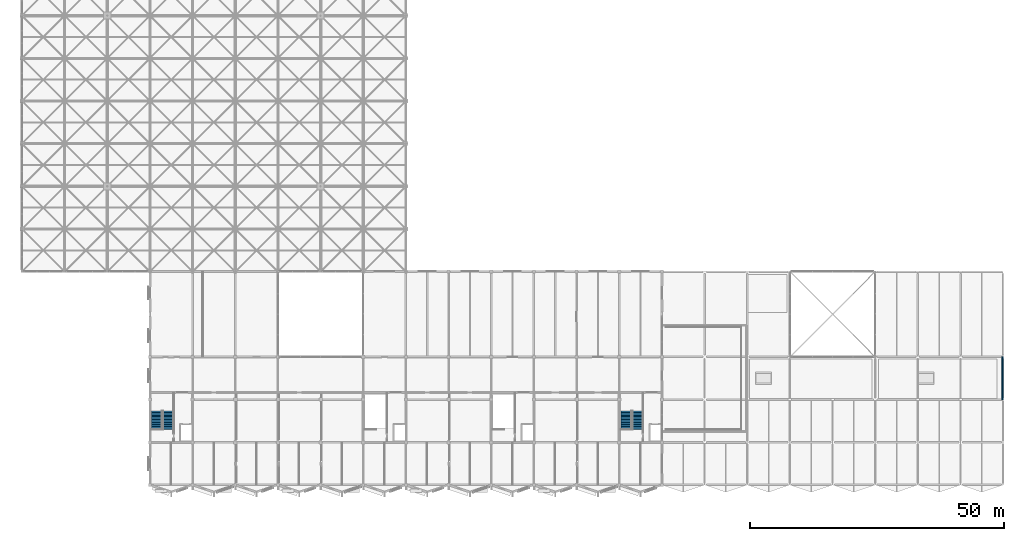
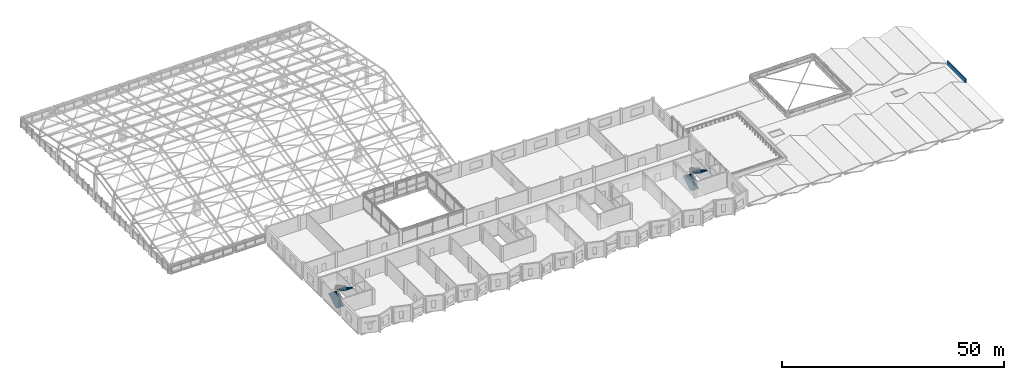
# One storey, part 78 of 81: 4 stair flights, 1 wall, 2 elements without a shape of their own.
"""IFC4 building model written with IfcOpenShell, lengths in metres."""

from ifc_helpers import new_model, si_unit, direction, frame, frame_2d, origin, place, context, subcontext, project, spatial, polyline, rectangle, outline, extrude, material, layer, layer_set, type_object, element, aggregate, save


model = new_model("IFC4")

# Units and contexts
model_context = context("Model", 3, precision=1e-05, world=origin(), true_north=direction((0.0, 1.0)))
body_context = subcontext(model_context, "Body", "Model", "MODEL_VIEW")
ifc_project = project(units=[si_unit("LENGTHUNIT", "METRE"), si_unit("AREAUNIT", "SQUARE_METRE"), si_unit("VOLUMEUNIT", "CUBIC_METRE"), si_unit("PLANEANGLEUNIT", "RADIAN"), si_unit("MASSUNIT", "GRAM", prefix="KILO")], contexts=[model_context])

# Site, building, storey
site_placement = place(None, origin())
site = spatial("IfcSite", under=ifc_project, at=site_placement, CompositionType="ELEMENT")
building_placement = place(site_placement, origin())
building = spatial("IfcBuilding", under=site, at=building_placement, Name="Qawsi Khor Wholesale Market", CompositionType="ELEMENT")
storey_placement = place(building_placement, frame((0.0, 0.0, 16.199951171875)))
storey = spatial("IfcBuildingStorey", under=building, at=storey_placement, Name="L03", CompositionType="ELEMENT", Elevation=16.199951171875)

# Wall
ifc_material = material(Name="Concrete C40/50", Category="concrete")
ifc_layer = layer(ifc_material, 0.27001953125, Name="Concrete C40/50")
ifc_layer_set = layer_set([ifc_layer], Name="Concrete C40/50")
wall_type = type_object("IfcWallType", Name="Terrace Parapet Upstand Wall 270", PredefinedType="PARAPET", material=ifc_layer_set)
wall_placement = place(storey_placement, frame((193.050048828125, 16.800048828125, 0.0), z_axis=(0.0, 0.0, 1.0), x_axis=(0.0, 1.0, 0.0)))
element("IfcWall", 1, at=wall_placement, inside=storey, type_object=wall_type, Name="Roof parapet PRP-L03-EW-E", PredefinedType="PARAPET", context=body_context, shape_type="SweptSolid", body=[
    extrude(rectangle(XDim=8.39990234375, YDim=0.27001953125, at=frame_2d((4.199951171875, 0.0))), origin(), (0.0, 0.0, 1.0), 1.10009765625),
])

# Stair, stair flights
stair_type = type_object("IfcStairType", Name="Exit Stair L03-RF 4500 Rise", PredefinedType="HALF_TURN_STAIR", material=ifc_material)
stair_1_placement = place(storey_placement, origin())
stair_1 = element("IfcStair", 2, at=stair_1_placement, inside=storey, type_object=stair_type, Name="Stair ST-01 L03", PredefinedType="HALF_TURN_STAIR")
stair_flight_type = type_object("IfcStairFlightType", Name="Stair Flight 14R x 160.7 / 280G (2060w)", PredefinedType="STRAIGHT", material=ifc_material)
stair_flight_1_placement = place(storey_placement, frame((26.550048828125, 10.919921875, 0.0), z_axis=(0.0, 0.0, 1.0), x_axis=(0.0, 1.0, 0.0)))
stair_flight_1 = element("IfcStairFlight", 3, at=stair_flight_1_placement, type_object=stair_flight_type, Name="ST-01-L03 flight 1", NumberOfRisers=14, NumberOfTreads=13, PredefinedType="STRAIGHT", RiserHeight=0.16071, TreadLength=0.28, context=body_context, shape_type="SweptSolid", body=[
    extrude(outline(polyline([(0.0, 0.0), (0.0, 0.16064453125), (0.280029296875, 0.16064453125), (0.280029296875, 0.321533203125), (0.56005859375, 0.321533203125), (0.56005859375, 0.482177734375), (0.840087890625, 0.482177734375), (0.840087890625, 0.642822265625), (1.1201171875, 0.642822265625), (1.1201171875, 0.803466796875), (1.39990234375, 0.803466796875), (1.39990234375, 0.96435546875), (1.679931640625, 0.96435546875), (1.679931640625, 1.125), (1.9599609375, 1.125), (1.9599609375, 1.28564453125), (2.239990234375, 1.28564453125), (2.239990234375, 1.4462890625), (2.52001953125, 1.4462890625), (2.52001953125, 1.607177734375), (2.800048828125, 1.607177734375), (2.800048828125, 1.767822265625), (3.080078125, 1.767822265625), (3.080078125, 1.928466796875), (3.360107421875, 1.928466796875), (3.360107421875, 2.089111328125), (3.639892578125, 2.089111328125), (3.639892578125, 2.25), (3.639892578125, 1.8818359375), (0.361572265625, 0.0), (0.0, 0.0)])), frame((0.0, 1.030029296875, 0.0), z_axis=(0.0, -1.0, 0.0), x_axis=(1.0, 0.0, 0.0)), (0.0, 0.0, 1.0), 2.06005859375),
])
stair_flight_2_placement = place(storey_placement, frame((28.7900390625, 14.56005859375, 2.25), z_axis=(0.0, 0.0, 1.0), x_axis=(0.0, -1.0, 0.0)))
stair_flight_2 = element("IfcStairFlight", 4, at=stair_flight_2_placement, type_object=stair_flight_type, Name="ST-01-L03 flight 2", NumberOfRisers=14, NumberOfTreads=13, PredefinedType="STRAIGHT", RiserHeight=0.16071, TreadLength=0.28, context=body_context, shape_type="SweptSolid", body=[
    extrude(outline(polyline([(0.0, 0.0), (0.0, 0.16064453125), (0.280029296875, 0.16064453125), (0.280029296875, 0.321533203125), (0.56005859375, 0.321533203125), (0.56005859375, 0.482177734375), (0.840087890625, 0.482177734375), (0.840087890625, 0.642822265625), (1.1201171875, 0.642822265625), (1.1201171875, 0.803466796875), (1.39990234375, 0.803466796875), (1.39990234375, 0.96435546875), (1.679931640625, 0.96435546875), (1.679931640625, 1.125), (1.9599609375, 1.125), (1.9599609375, 1.28564453125), (2.239990234375, 1.28564453125), (2.239990234375, 1.4462890625), (2.52001953125, 1.4462890625), (2.52001953125, 1.607177734375), (2.800048828125, 1.607177734375), (2.800048828125, 1.767822265625), (3.080078125, 1.767822265625), (3.080078125, 1.928466796875), (3.360107421875, 1.928466796875), (3.360107421875, 2.089111328125), (3.639892578125, 2.089111328125), (3.639892578125, 2.25), (3.639892578125, 1.8818359375), (0.361572265625, 0.0), (0.0, 0.0)])), frame((0.0, 1.030029296875, 0.0), z_axis=(0.0, -1.0, 0.0), x_axis=(1.0, 0.0, 0.0)), (0.0, 0.0, 1.0), 2.06005859375),
])
aggregate(stair_1, [stair_flight_1, stair_flight_2])

stair_2_placement = place(storey_placement, origin())
stair_2 = element("IfcStair", 5, at=stair_2_placement, inside=storey, type_object=stair_type, Name="Stair ST-04 L03", PredefinedType="HALF_TURN_STAIR")
stair_flight_3_placement = place(storey_placement, frame((118.949951171875, 10.919921875, 0.0), z_axis=(0.0, 0.0, 1.0), x_axis=(0.0, 1.0, 0.0)))
stair_flight_3 = element("IfcStairFlight", 6, at=stair_flight_3_placement, type_object=stair_flight_type, Name="ST-04-L03 flight 1", NumberOfRisers=14, NumberOfTreads=13, PredefinedType="STRAIGHT", RiserHeight=0.16071, TreadLength=0.28, context=body_context, shape_type="SweptSolid", body=[
    extrude(outline(polyline([(0.0, 0.0), (0.0, 0.16064453125), (0.280029296875, 0.16064453125), (0.280029296875, 0.321533203125), (0.56005859375, 0.321533203125), (0.56005859375, 0.482177734375), (0.840087890625, 0.482177734375), (0.840087890625, 0.642822265625), (1.1201171875, 0.642822265625), (1.1201171875, 0.803466796875), (1.39990234375, 0.803466796875), (1.39990234375, 0.96435546875), (1.679931640625, 0.96435546875), (1.679931640625, 1.125), (1.9599609375, 1.125), (1.9599609375, 1.28564453125), (2.239990234375, 1.28564453125), (2.239990234375, 1.4462890625), (2.52001953125, 1.4462890625), (2.52001953125, 1.607177734375), (2.800048828125, 1.607177734375), (2.800048828125, 1.767822265625), (3.080078125, 1.767822265625), (3.080078125, 1.928466796875), (3.360107421875, 1.928466796875), (3.360107421875, 2.089111328125), (3.639892578125, 2.089111328125), (3.639892578125, 2.25), (3.639892578125, 1.8818359375), (0.361572265625, 0.0), (0.0, 0.0)])), frame((0.0, 1.030029296875, 0.0), z_axis=(0.0, -1.0, 0.0), x_axis=(1.0, 0.0, 0.0)), (0.0, 0.0, 1.0), 2.06005859375),
])
stair_flight_4_placement = place(storey_placement, frame((121.18994140625, 14.56005859375, 2.25), z_axis=(0.0, 0.0, 1.0), x_axis=(0.0, -1.0, 0.0)))
stair_flight_4 = element("IfcStairFlight", 7, at=stair_flight_4_placement, type_object=stair_flight_type, Name="ST-04-L03 flight 2", NumberOfRisers=14, NumberOfTreads=13, PredefinedType="STRAIGHT", RiserHeight=0.16071, TreadLength=0.28, context=body_context, shape_type="SweptSolid", body=[
    extrude(outline(polyline([(0.0, 0.0), (0.0, 0.16064453125), (0.280029296875, 0.16064453125), (0.280029296875, 0.321533203125), (0.56005859375, 0.321533203125), (0.56005859375, 0.482177734375), (0.840087890625, 0.482177734375), (0.840087890625, 0.642822265625), (1.1201171875, 0.642822265625), (1.1201171875, 0.803466796875), (1.39990234375, 0.803466796875), (1.39990234375, 0.96435546875), (1.679931640625, 0.96435546875), (1.679931640625, 1.125), (1.9599609375, 1.125), (1.9599609375, 1.28564453125), (2.239990234375, 1.28564453125), (2.239990234375, 1.4462890625), (2.52001953125, 1.4462890625), (2.52001953125, 1.607177734375), (2.800048828125, 1.607177734375), (2.800048828125, 1.767822265625), (3.080078125, 1.767822265625), (3.080078125, 1.928466796875), (3.360107421875, 1.928466796875), (3.360107421875, 2.089111328125), (3.639892578125, 2.089111328125), (3.639892578125, 2.25), (3.639892578125, 1.8818359375), (0.361572265625, 0.0), (0.0, 0.0)])), frame((0.0, 1.030029296875, 0.0), z_axis=(0.0, -1.0, 0.0), x_axis=(1.0, 0.0, 0.0)), (0.0, 0.0, 1.0), 2.06005859375),
])
aggregate(stair_2, [stair_flight_3, stair_flight_4])

save(model, "model.ifc")
